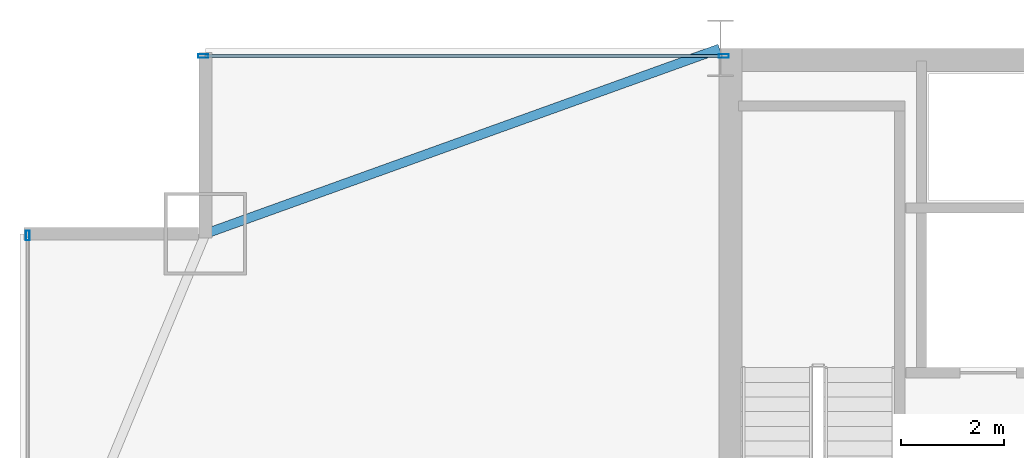
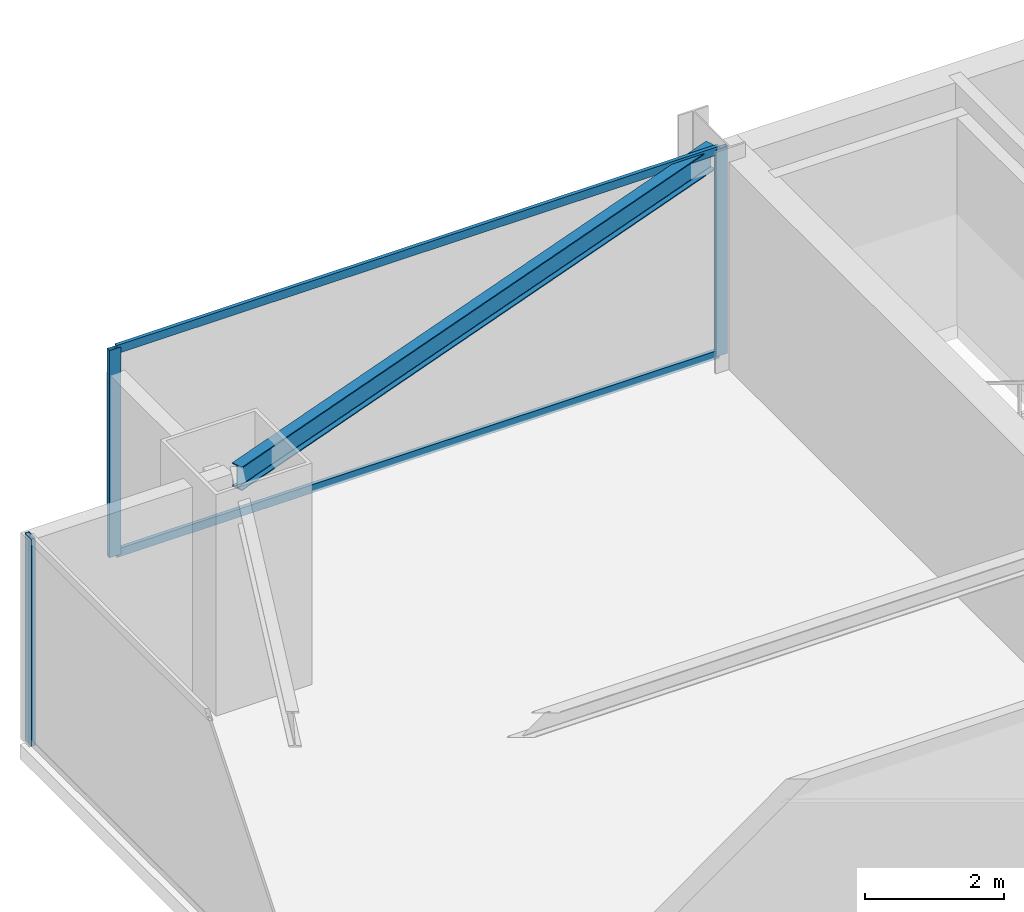
# One storey, part 21 of 35: 5 members, 1 beam, 2 elements without a shape of their own.
"""IFC4 building model written with IfcOpenShell, lengths in metres."""

from ifc_helpers import new_model, si_unit, direction, frame, origin, origin_2d, place, context, subcontext, project, spatial, hollow_rectangle, i_section, extrude, source, transform, mapped, material, layer, layer_set, material_profile, profile_set, type_object, type_shapes, element, aggregate, save


model = new_model("IFC4")

# Units and contexts
model_context = context("Model", 3, precision=1e-05, world=origin(), true_north=direction((0.0, 1.0)))
body_context = subcontext(model_context, "Body", "Model", "MODEL_VIEW")
ifc_project = project(units=[si_unit("LENGTHUNIT", "METRE"), si_unit("AREAUNIT", "SQUARE_METRE"), si_unit("VOLUMEUNIT", "CUBIC_METRE"), si_unit("PLANEANGLEUNIT", "RADIAN"), si_unit("MASSUNIT", "GRAM", prefix="KILO")], contexts=[model_context])

# Site, building, storey
site_placement = place(None, origin())
site = spatial("IfcSite", under=ifc_project, at=site_placement, CompositionType="ELEMENT")
building_placement = place(site_placement, origin())
building = spatial("IfcBuilding", under=site, at=building_placement, Name="Varnel Quay Broadcast Tower", CompositionType="ELEMENT")
storey_placement = place(building_placement, frame((0.0, 0.0, 66.60009765625)))
storey = spatial("IfcBuildingStorey", under=building, at=storey_placement, Name="L15", CompositionType="ELEMENT", Elevation=66.60009765625)

# Beam
ifc_material_1 = material(Name="Structural Steel CSA G40.21 350W", Category="steel")
ifc_material_profile_1 = material_profile(ifc_material_1, i_section(OverallWidth=0.180908203125, OverallDepth=0.4169921875, WebThickness=0.010986328125, FlangeThickness=0.018310546875, FilletRadius=0.011962890625, at=origin_2d()), Name="W410X85")
ifc_profile_set_1 = profile_set([ifc_material_profile_1], Name="Structural Steel CSA G40.21 350W")
beam_type = type_object("IfcBeamType", Name="Beam_W410X85", PredefinedType="SPANDREL", material=ifc_profile_set_1)
shared_shape_1 = source(origin(), body_context, "Body", "SweptSolid", [
    extrude(i_section(OverallWidth=0.180908203125, OverallDepth=0.4169921875, WebThickness=0.010986328125, FlangeThickness=0.018310546875, FilletRadius=0.011962890625, at=origin_2d()), origin(), (0.0, 0.0, 1.0), 10.58837890625),
])
type_shapes(beam_type, [shared_shape_1])
beam_placement = place(storey_placement, frame((5.618896484375, 43.206787109375, 3.44140625), z_axis=(0.940888587605, 0.338716202321, 0.0), x_axis=(-0.338716202321, 0.940888587605, 0.0)))
element("IfcBeam", 1, at=beam_placement, inside=storey, type_object=beam_type, Name="L15 NW Tie Spandrel", PredefinedType="SPANDREL", context=body_context, shape_type="MappedRepresentation", body=[
    mapped(shared_shape_1, transform((0.0, 0.0, 0.0), x_axis=(1.0, 0.0, 0.0), y_axis=(0.0, 1.0, 0.0), z_axis=(0.0, 0.0, 1.0), scale=1.0)),
])

# Curtain wall, member
ifc_material_2 = material(Name="Anodised Bronze Aluminium 6063-T6", Category="aluminium")
ifc_layer = layer(ifc_material_2, 0.18994140625, Name="Anodised Bronze Aluminium 6063-T6")
ifc_layer_set = layer_set([ifc_layer], Name="Anodised Bronze Aluminium 6063-T6")
curtain_wall_type = type_object("IfcCurtainWallType", Name="CW_LowerTower", PredefinedType="NOTDEFINED", material=ifc_layer_set)
curtain_wall_1_placement = place(storey_placement, origin())
curtain_wall_1 = element("IfcCurtainWall", 2, at=curtain_wall_1_placement, inside=storey, type_object=curtain_wall_type, Name="L15 West Unitised Curtain Wall", PredefinedType="NOTDEFINED")
ifc_material_profile_2 = material_profile(ifc_material_2, hollow_rectangle(XDim=0.070068359375, YDim=0.18994140625, WallThickness=0.00390625, at=origin_2d()), Name="ALU70X190X4")
ifc_profile_set_2 = profile_set([ifc_material_profile_2], Name="Anodised Bronze Aluminium 6063-T6")
member_type_1 = type_object("IfcMemberType", Name="Mull_CWS-02", PredefinedType="MULLION", material=ifc_profile_set_2)
shared_shape_2 = source(origin(), body_context, "Body", "SweptSolid", [
    extrude(hollow_rectangle(XDim=0.070068359375, YDim=0.18994140625, WallThickness=0.00390625, at=origin_2d()), origin(), (0.0, 0.0, 1.0), 3.64990234375),
])
type_shapes(member_type_1, [shared_shape_2])
member_1_placement = place(storey_placement, frame((2.14990234375, 43.1650390625, 0.0), z_axis=(0.0, 0.0, 1.0), x_axis=(-1.0, 0.0, 0.0)))
member_1 = element("IfcMember", 3, at=member_1_placement, type_object=member_type_1, Name="CWS-02 mullion 4", PredefinedType="MULLION", context=body_context, shape_type="MappedRepresentation", body=[
    mapped(shared_shape_2, transform((0.0, 0.0, 0.0), x_axis=(1.0, 0.0, 0.0), y_axis=(0.0, 1.0, 0.0), z_axis=(0.0, 0.0, 1.0), scale=1.0)),
])
aggregate(curtain_wall_1, [member_1])

# Curtain wall, members
curtain_wall_2_placement = place(storey_placement, origin())
curtain_wall_2 = element("IfcCurtainWall", 4, at=curtain_wall_2_placement, inside=storey, type_object=curtain_wall_type, Name="L15 NW Wing Curtain Wall", PredefinedType="NOTDEFINED")
member_2_placement = place(storey_placement, frame((5.554931640625, 46.64990234375, 0.0), z_axis=(0.0, 0.0, 1.0), x_axis=(0.0, 1.0, 0.0)))
member_2 = element("IfcMember", 5, at=member_2_placement, type_object=member_type_1, Name="CWS-02 mullion 1", PredefinedType="MULLION", context=body_context, shape_type="MappedRepresentation", body=[
    mapped(shared_shape_2, transform((0.0, 0.0, 0.0), x_axis=(1.0, 0.0, 0.0), y_axis=(0.0, 1.0, 0.0), z_axis=(0.0, 0.0, 1.0), scale=1.0)),
])
member_3_placement = place(storey_placement, frame((15.6650390625, 46.64990234375, 0.0), z_axis=(0.0, 0.0, 1.0), x_axis=(0.0, 1.0, 0.0)))
member_3 = element("IfcMember", 6, at=member_3_placement, type_object=member_type_1, Name="CWS-02 mullion 2", PredefinedType="MULLION", context=body_context, shape_type="MappedRepresentation", body=[
    mapped(shared_shape_2, transform((0.0, 0.0, 0.0), x_axis=(1.0, 0.0, 0.0), y_axis=(0.0, 1.0, 0.0), z_axis=(0.0, 0.0, 1.0), scale=1.0)),
])
ifc_material_profile_3 = material_profile(ifc_material_2, hollow_rectangle(XDim=0.06005859375, YDim=0.14501953125, WallThickness=0.00341796875, at=origin_2d()), Name="ALU60X145X3.5")
ifc_profile_set_3 = profile_set([ifc_material_profile_3], Name="Anodised Bronze Aluminium 6063-T6")
member_type_2 = type_object("IfcMemberType", Name="Tran_CWS-02", PredefinedType="USERDEFINED", material=ifc_profile_set_3)
shared_shape_3 = source(origin(), body_context, "Body", "SweptSolid", [
    extrude(hollow_rectangle(XDim=0.06005859375, YDim=0.14501953125, WallThickness=0.00341796875, at=origin_2d()), origin(), (0.0, 0.0, 1.0), 10.039794921875),
])
type_shapes(member_type_2, [shared_shape_3])
member_4_placement = place(storey_placement, frame((5.590087890625, 46.64990234375, 0.02978515625), z_axis=(1.0, 0.0, 0.0), x_axis=(0.0, 1.0, 0.0)))
member_4 = element("IfcMember", 7, at=member_4_placement, type_object=member_type_2, Name="CWS-02 transom 1.1", ObjectType="TRANSOM", PredefinedType="USERDEFINED", context=body_context, shape_type="MappedRepresentation", body=[
    mapped(shared_shape_3, transform((0.0, 0.0, 0.0), x_axis=(1.0, 0.0, 0.0), y_axis=(0.0, 1.0, 0.0), z_axis=(0.0, 0.0, 1.0), scale=1.0)),
])
member_5_placement = place(storey_placement, frame((5.590087890625, 46.64990234375, 3.619873046875), z_axis=(1.0, 0.0, 0.0), x_axis=(0.0, 1.0, 0.0)))
member_5 = element("IfcMember", 8, at=member_5_placement, type_object=member_type_2, Name="CWS-02 transom 1.2", ObjectType="TRANSOM", PredefinedType="USERDEFINED", context=body_context, shape_type="MappedRepresentation", body=[
    mapped(shared_shape_3, transform((0.0, 0.0, 0.0), x_axis=(1.0, 0.0, 0.0), y_axis=(0.0, 1.0, 0.0), z_axis=(0.0, 0.0, 1.0), scale=1.0)),
])
aggregate(curtain_wall_2, [member_2, member_3, member_4, member_5])

save(model, "model.ifc")
